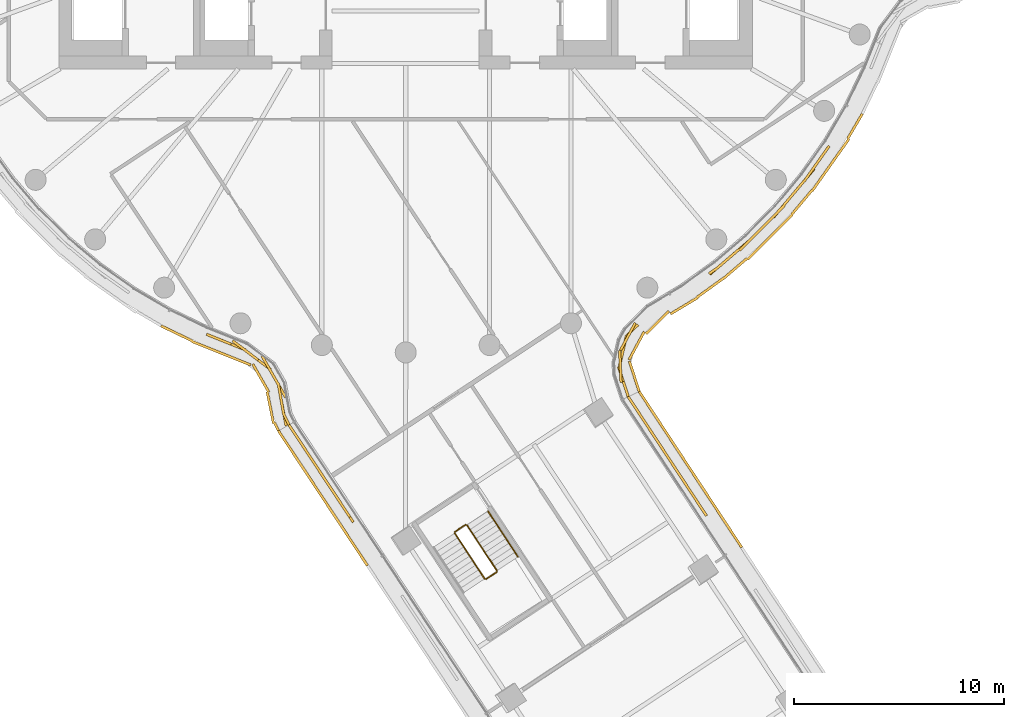
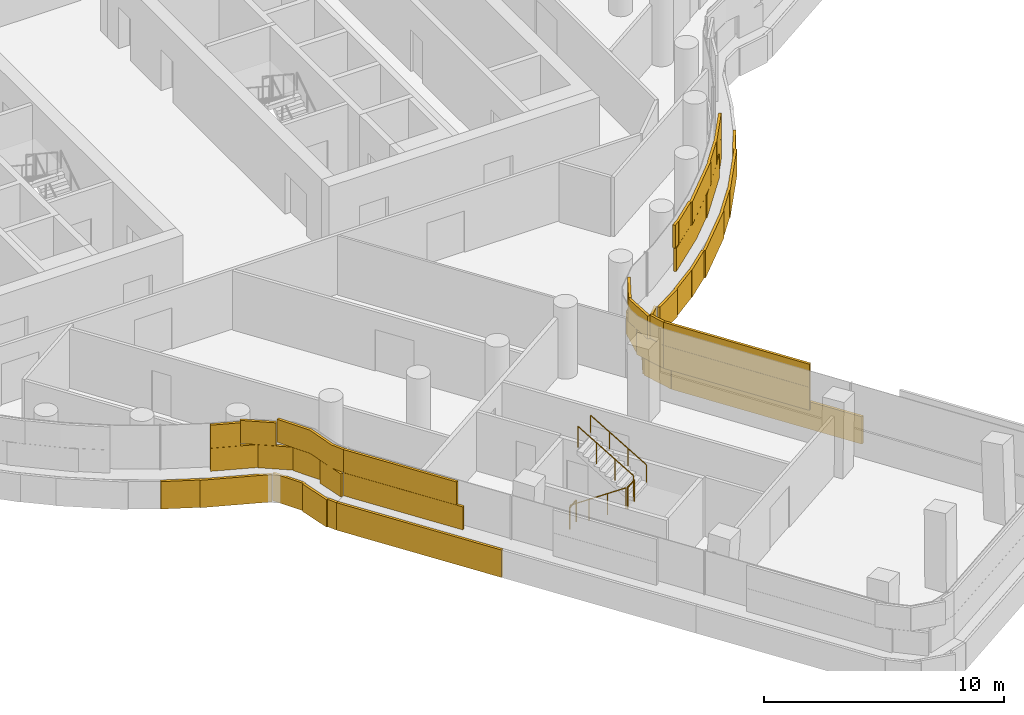
# One storey, part 29 of 35: 5 railings, 4 coverings.
"""IFC4 building model written with IfcOpenShell, lengths in metres."""

import ifcopenshell
import ifcopenshell.guid

model = None  # the IFC model being written
_history = None  # IfcOwnerHistory: only IFC2X3 demands one
_inside = {}  # id of a spatial element -> (the spatial element, [elements in it])
_under = {}  # id of a project, library or spatial element -> (it, [spatial elements below it])
_declared = {}  # id of a project -> (the project, [libraries it declares])
_typed = {}  # id of a type object -> (the type object, [elements of that type])
_made_of = {}  # id of a material, layer set ... -> (it, [elements and type objects made of it])


def new_model(schema):
    """Start an empty IFC model of exactly this schema.

    Asked for "IFC4X3", IfcOpenShell would pick the latest addendum, in which some entities
    have other attributes; the version numbers below select the first issue.
    IFC2X3 requires an IfcOwnerHistory on every rooted entity: one is made here for all.
    """
    global model, _history
    if schema == "IFC4X3":
        model = ifcopenshell.file(schema_version=(4, 3, 0, 0))
    else:
        model = ifcopenshell.file(schema=schema)
    _inside.clear()
    _under.clear()
    _declared.clear()
    _typed.clear()
    _made_of.clear()
    _history = None
    if model.schema == "IFC2X3":
        org = make("IfcOrganization", Name="unknown")
        user = make(
            "IfcPersonAndOrganization",
            ThePerson=make("IfcPerson", FamilyName="unknown"),
            TheOrganization=org,
        )
        app = make(
            "IfcApplication",
            ApplicationDeveloper=org,
            Version="unknown",
            ApplicationFullName="unknown",
            ApplicationIdentifier="unknown",
        )
        _history = make(
            "IfcOwnerHistory",
            OwningUser=user,
            OwningApplication=app,
            ChangeAction="ADDED",
            CreationDate=0,
        )
    return model


def make(cls, **values):
    """One entity of the class cls with the attributes given. An attribute that is None is left unset."""
    return model.create_entity(
        cls, **{name: value for name, value in values.items() if value is not None}
    )


def rooted(cls, **values):
    """An entity with a GlobalId (a new one), such as an element, a storey or a relation."""
    return make(cls, GlobalId=ifcopenshell.guid.new(), OwnerHistory=_history, **values)


def si_unit(unit_type, name, prefix=None):
    """IfcSIUnit, for example si_unit("LENGTHUNIT", "METRE", prefix="MILLI")."""
    return make("IfcSIUnit", UnitType=unit_type, Prefix=prefix, Name=name)


def assignment(units):
    """IfcUnitAssignment: the units of a project."""
    return None if units is None else make("IfcUnitAssignment", Units=units)


def point(xyz):
    """IfcCartesianPoint."""
    return None if xyz is None else make("IfcCartesianPoint", Coordinates=xyz)


def direction(xyz):
    """IfcDirection."""
    return None if xyz is None else make("IfcDirection", DirectionRatios=xyz)


def frame(location, z_axis=None, x_axis=None):
    """IfcAxis2Placement3D, a coordinate frame: its origin and axes. An axis left out is left unset."""
    return make(
        "IfcAxis2Placement3D",
        Location=point(location),
        Axis=direction(z_axis),
        RefDirection=direction(x_axis),
    )


def frame_2d(location, x_axis=None):
    """IfcAxis2Placement2D, a coordinate frame in the plane: its origin and x axis."""
    return make(
        "IfcAxis2Placement2D", Location=point(location), RefDirection=direction(x_axis)
    )


def origin():
    """The frame at (0, 0, 0) with its axes left unset."""
    return frame((0.0, 0.0, 0.0))


def origin_2d():
    """The frame at (0, 0) in the plane with its x axis left unset."""
    return frame_2d((0.0, 0.0))


def place(relative_to, where):
    """IfcLocalPlacement: puts the frame where relative to a parent placement (None: the world)."""
    return make(
        "IfcLocalPlacement", PlacementRelTo=relative_to, RelativePlacement=where
    )


def context(
    kind, dimensions, precision=None, world=None, true_north=None, identifier=None
):
    """IfcGeometricRepresentationContext, for example the 3D "Model" context."""
    return make(
        "IfcGeometricRepresentationContext",
        ContextIdentifier=identifier,
        ContextType=kind,
        CoordinateSpaceDimension=dimensions,
        Precision=precision,
        WorldCoordinateSystem=world,
        TrueNorth=true_north,
    )


def subcontext(parent, identifier, kind, view, scale=None):
    """IfcGeometricRepresentationSubContext, for example "Body" below "Model"."""
    return make(
        "IfcGeometricRepresentationSubContext",
        ContextIdentifier=identifier,
        ContextType=kind,
        ParentContext=parent,
        TargetScale=scale,
        TargetView=view,
    )


def project(units=None, contexts=None):
    """IfcProject with its units and contexts."""
    return rooted(
        "IfcProject",
        Name="project",
        RepresentationContexts=contexts,
        UnitsInContext=assignment(units),
    )


def spatial(cls, under=None, at=None, **own):
    """A site, building, storey or space (cls), placed at a placement, below another one or the project."""
    s = rooted(cls, ObjectPlacement=at, **own)
    if under is not None:
        _under.setdefault(under.id(), (under, []))[1].append(s)
    return s


def profile(cls, at=None, kind="AREA", **sizes):
    """A parametric profile (cls). Its sizes go by their IFC names, for example OverallWidth=200.0."""
    return make(cls, ProfileType=kind, Position=at, **sizes)


def rectangle(**sizes):
    """IfcRectangleProfileDef."""
    return profile("IfcRectangleProfileDef", **sizes)


def circle(**sizes):
    """IfcCircleProfileDef."""
    return profile("IfcCircleProfileDef", **sizes)


def extrude(swept, where, along, depth):
    """IfcExtrudedAreaSolid: the profile swept, set in the frame where, extruded along a direction by depth."""
    return make(
        "IfcExtrudedAreaSolid",
        SweptArea=swept,
        Position=where,
        ExtrudedDirection=direction(along),
        Depth=depth,
    )


def shape(context_of_items, identifier, shape_type, items):
    """IfcShapeRepresentation: the items that make up one representation, for example the "Body"."""
    return make(
        "IfcShapeRepresentation",
        ContextOfItems=context_of_items,
        RepresentationIdentifier=identifier,
        RepresentationType=shape_type,
        Items=items,
    )


def material(Name=None, Category=None):
    """IfcMaterial."""
    return make("IfcMaterial", Name=Name, Category=Category)


def layer(
    of_material, thickness, ventilated=None, Name=None, Category=None, Priority=None
):
    """IfcMaterialLayer: one layer of a wall or slab, of a material (None: an air gap)."""
    return make(
        "IfcMaterialLayer",
        Material=of_material,
        LayerThickness=thickness,
        IsVentilated=ventilated,
        Name=Name,
        Category=Category,
        Priority=Priority,
    )


def layer_set(layers, Name=None):
    """IfcMaterialLayerSet."""
    return make("IfcMaterialLayerSet", MaterialLayers=layers, LayerSetName=Name)


def made_of(thing, what):
    """Note that an element or type object is made of a material, layer set ...; save() writes the relation."""
    if what is not None:
        _made_of.setdefault(what.id(), (what, []))[1].append(thing)
    return thing


def type_object(cls, material=None, **own):
    """A type object (cls), such as IfcWallType, which elements share."""
    return made_of(rooted(cls, **own), material)


def element(
    cls,
    number,
    at=None,
    inside=None,
    cuts=None,
    type_object=None,
    material=None,
    context=None,
    identifier="Body",
    shape_type=None,
    held_by="IfcProductDefinitionShape",
    body=None,
    shapes=None,
    **own,
):
    """One element of the class cls, such as IfcWall. Its Tag is "e" and its number.

    at: its placement. inside: the storey or other place that contains it. cuts: it is an
    opening in that element (IfcRelVoidsElement). A single representation is given by context,
    identifier, shape_type and body (its items); several are given by shapes. held_by: the class
    of the entity that holds the representations. save() writes the other relations.
    """
    e = rooted(cls, Tag="e%d" % number, ObjectPlacement=at, **own)
    if body is not None:
        shapes = [shape(context, identifier, shape_type, body)]
    if shapes is not None:
        e.Representation = make(held_by, Representations=shapes)
    if inside is not None:
        _inside.setdefault(inside.id(), (inside, []))[1].append(e)
    if cuts is not None:
        rooted(
            "IfcRelVoidsElement", RelatingBuildingElement=cuts, RelatedOpeningElement=e
        )
    if type_object is not None:
        _typed.setdefault(type_object.id(), (type_object, []))[1].append(e)
    return made_of(e, material)


def aggregate(whole, parts):
    """IfcRelAggregates: a whole, such as a stair, and the parts it consists of."""
    return rooted("IfcRelAggregates", RelatingObject=whole, RelatedObjects=parts)


def save(model, path):
    """Write the relations noted so far, then the file.

    IfcRelAggregates (storeys below a building ...), IfcRelContainedInSpatialStructure (elements
    in a storey), IfcRelDefinesByType, IfcRelAssociatesMaterial and IfcRelDeclares: one each for
    every whole, place, type object, material and project.
    """
    for whole, parts in _under.values():
        aggregate(whole, parts)
    for where, things in _inside.values():
        rooted(
            "IfcRelContainedInSpatialStructure",
            RelatedElements=things,
            RelatingStructure=where,
        )
    for kind, things in _typed.values():
        rooted("IfcRelDefinesByType", RelatedObjects=things, RelatingType=kind)
    for what, things in _made_of.values():
        rooted("IfcRelAssociatesMaterial", RelatedObjects=things, RelatingMaterial=what)
    for by, libraries in _declared.values():
        rooted("IfcRelDeclares", RelatingContext=by, RelatedDefinitions=libraries)
    model.write(path)


model = new_model("IFC4")

# Units and contexts
model_context = context("Model", 3, precision=1e-05, world=origin(), true_north=direction((0.0, 1.0)))
body_context = subcontext(model_context, "Body", "Model", "MODEL_VIEW")
ifc_project = project(units=[si_unit("LENGTHUNIT", "METRE"), si_unit("AREAUNIT", "SQUARE_METRE"), si_unit("VOLUMEUNIT", "CUBIC_METRE"), si_unit("PLANEANGLEUNIT", "RADIAN"), si_unit("MASSUNIT", "GRAM", prefix="KILO")], contexts=[model_context])

# Site, building, storey
site_placement = place(None, origin())
site = spatial("IfcSite", under=ifc_project, at=site_placement, CompositionType="ELEMENT")
building_placement = place(site_placement, origin())
building = spatial("IfcBuilding", under=site, at=building_placement, Name="Tamarind Cross Interchange Tower", CompositionType="ELEMENT")
storey_placement = place(building_placement, frame((0.0, 0.0, 155.5)))
storey = spatial("IfcBuildingStorey", under=building, at=storey_placement, Name="L38", CompositionType="ELEMENT", Elevation=155.5)

# Railings
ifc_material_1 = material(Name="Stair guard")
railing_type_1 = type_object("IfcRailingType", Name="Stair guard", PredefinedType="GUARDRAIL", material=ifc_material_1)
railing_1_placement = place(storey_placement, frame((2.328369140625, -31.60693359375, 0.17041015625)))
element("IfcRailing", 1, at=railing_1_placement, inside=storey, type_object=railing_type_1, Name="L38 ST6 stair guard 1", PredefinedType="GUARDRAIL", context=body_context, shape_type="SweptSolid", body=[
    extrude(circle(Radius=0.02392578125, at=origin_2d()), frame((0.0, 0.0, 1.076171875), z_axis=(0.460805384345, -0.697883001137, 0.548286161127), x_axis=(0.834498011269, 0.551010951967, 0.0)), (0.0, 0.0, 1.0), 3.10888671875),
    extrude(circle(Radius=0.02099609375, at=origin_2d()), origin(), (0.0, 0.0, 1.0), 1.052001953125),
    extrude(circle(Radius=0.02099609375, at=origin_2d()), frame((0.4775390625, -0.72314453125, 0.568115234375)), (0.0, 0.0, 1.0), 1.052001953125),
    extrude(circle(Radius=0.02099609375, at=origin_2d()), frame((0.955078125, -1.446533203125, 1.136474609375)), (0.0, 0.0, 1.0), 1.052001953125),
    extrude(circle(Radius=0.02099609375, at=origin_2d()), frame((1.4326171875, -2.169677734375, 1.70458984375)), (0.0, 0.0, 1.0), 1.052001953125),
])
railing_2_placement = place(storey_placement, frame((3.830078125, -33.790771484375, 1.875)))
element("IfcRailing", 2, at=railing_2_placement, inside=storey, type_object=railing_type_1, Name="L38 ST6 stair guard 2", PredefinedType="GUARDRAIL", context=body_context, shape_type="SweptSolid", body=[
    extrude(circle(Radius=0.02392578125, at=origin_2d()), frame((0.0, 0.0, 1.076171875), z_axis=(0.834545798538, 0.550938572023, 0.0), x_axis=(-0.550938572023, 0.834545798538, 0.0)), (0.0, 0.0, 1.0), 0.60009765625),
    extrude(circle(Radius=0.02099609375, at=origin_2d()), origin(), (0.0, 0.0, 1.0), 1.052001953125),
    extrude(circle(Radius=0.02099609375, at=origin_2d()), frame((0.500732421875, 0.33056640625, 0.0)), (0.0, 0.0, 1.0), 1.052001953125),
])
railing_3_placement = place(storey_placement, frame((4.344970703125, -33.390869140625, 2.04541015625)))
element("IfcRailing", 3, at=railing_3_placement, inside=storey, type_object=railing_type_1, Name="L38 ST6 stair guard 3", PredefinedType="GUARDRAIL", context=body_context, shape_type="SweptSolid", body=[
    extrude(circle(Radius=0.02392578125, at=origin_2d()), frame((0.0, 0.0, 1.076171875), z_axis=(-0.460743527335, 0.697908254206, 0.548306000998), x_axis=(-0.834541188259, -0.550945555476, 0.0)), (0.0, 0.0, 1.0), 3.10888671875),
    extrude(circle(Radius=0.02099609375, at=origin_2d()), origin(), (0.0, 0.0, 1.0), 1.052001953125),
    extrude(circle(Radius=0.02099609375, at=origin_2d()), frame((-0.4775390625, 0.72314453125, 0.568115234375)), (0.0, 0.0, 1.0), 1.052001953125),
    extrude(circle(Radius=0.02099609375, at=origin_2d()), frame((-0.954833984375, 1.446533203125, 1.136474609375)), (0.0, 0.0, 1.0), 1.052001953125),
    extrude(circle(Radius=0.02099609375, at=origin_2d()), frame((-1.432373046875, 2.169677734375, 1.70458984375)), (0.0, 0.0, 1.0), 1.052001953125),
])
railing_4_placement = place(storey_placement, frame((2.342529296875, -31.53759765625, 0.0)))
element("IfcRailing", 4, at=railing_4_placement, inside=storey, type_object=railing_type_1, Name="L38 ST6 stair guard 4", PredefinedType="GUARDRAIL", context=body_context, shape_type="SweptSolid", body=[
    extrude(circle(Radius=0.02392578125, at=origin_2d()), frame((0.0, 0.0, 1.076171875), z_axis=(0.834545798538, 0.550938572023, 0.0), x_axis=(-0.550938572023, 0.834545798538, 0.0)), (0.0, 0.0, 1.0), 0.60009765625),
    extrude(circle(Radius=0.02099609375, at=origin_2d()), origin(), (0.0, 0.0, 1.0), 1.052001953125),
    extrude(circle(Radius=0.02099609375, at=origin_2d()), frame((0.500732421875, 0.33056640625, 0.0)), (0.0, 0.0, 1.0), 1.052001953125),
])
ifc_material_2 = material(Name="Stair handrail")
railing_type_2 = type_object("IfcRailingType", Name="Stair handrail", PredefinedType="HANDRAIL", material=ifc_material_2)
railing_5_placement = place(storey_placement, frame((5.346435546875, -32.729736328125, 2.04541015625)))
element("IfcRailing", 5, at=railing_5_placement, inside=storey, type_object=railing_type_2, Name="L38 ST6 stair handrail 2", PredefinedType="HANDRAIL", context=body_context, shape_type="SweptSolid", body=[
    extrude(circle(Radius=0.02392578125, at=origin_2d()), frame((0.0, 0.0, 0.8759765625), z_axis=(-0.460743527335, 0.697908254206, 0.548306000998), x_axis=(-0.834541188259, -0.550945555476, 0.0)), (0.0, 0.0, 1.0), 3.10888671875),
    extrude(circle(Radius=0.02099609375, at=origin_2d()), origin(), (0.0, 0.0, 1.0), 0.851806640625),
    extrude(circle(Radius=0.02099609375, at=origin_2d()), frame((-0.4775390625, 0.72314453125, 0.568115234375)), (0.0, 0.0, 1.0), 0.851806640625),
    extrude(circle(Radius=0.02099609375, at=origin_2d()), frame((-0.954833984375, 1.446533203125, 1.136474609375)), (0.0, 0.0, 1.0), 0.851806640625),
    extrude(circle(Radius=0.02099609375, at=origin_2d()), frame((-1.432373046875, 2.169677734375, 1.70458984375)), (0.0, 0.0, 1.0), 0.851806640625),
])

# Coverings
ifc_material_3 = material(Name="Terracotta", Category="masonry")
ifc_layer = layer(ifc_material_3, 0.1201171875)
ifc_layer_set = layer_set([ifc_layer], Name="Terracotta")
covering_type = type_object("IfcCoveringType", Name="Terracotta baguette screen unit", PredefinedType="MOLDING", material=ifc_layer_set)
covering_1_placement = place(storey_placement, origin())
element("IfcCovering", 6, at=covering_1_placement, inside=storey, type_object=covering_type, Name="SCR-L38-06-01", PredefinedType="MOLDING", context=body_context, shape_type="SweptSolid", body=[
    extrude(rectangle(XDim=0.510986328125, YDim=0.1201171875, at=origin_2d()), frame((-9.247802734375, -22.232177734375, 1.404052734375), z_axis=(0.0, 0.0, 1.0), x_axis=(0.927983824399, -0.37262047938, 0.0)), (0.0, 0.0, 1.0), 1.1669921875),
    extrude(rectangle(XDim=1.52001953125, YDim=0.1201171875, at=origin_2d()), frame((-8.3193359375, -22.60498046875, 1.404052734375), z_axis=(0.0, 0.0, 1.0), x_axis=(0.927983824399, -0.37262047938, 0.0)), (0.0, 0.0, 1.0), 1.1669921875),
    extrude(rectangle(XDim=1.52001953125, YDim=0.1201171875, at=origin_2d()), frame((-7.034912109375, -23.35498046875, 1.404052734375), z_axis=(0.0, 0.0, 1.0), x_axis=(0.799546744237, -0.600603865938, 0.0)), (0.0, 0.0, 1.0), 1.1669921875),
    extrude(rectangle(XDim=1.52001953125, YDim=0.1201171875, at=origin_2d()), frame((-6.09130859375, -24.4814453125, 1.404052734375), z_axis=(0.0, 0.0, 1.0), x_axis=(0.496112184141, -0.868258429701, 0.0)), (0.0, 0.0, 1.0), 1.1669921875),
    extrude(rectangle(XDim=1.317138671875, YDim=0.1201171875, at=origin_2d()), frame((-5.8154296875, -25.853759765625, 1.404052734375), z_axis=(0.0, 0.0, 1.0), x_axis=(0.193059747584, -0.981187002494, 0.0)), (0.0, 0.0, 1.0), 1.1669921875),
    extrude(rectangle(XDim=1.260986328125, YDim=0.1201171875, at=origin_2d()), frame((-8.89990234375, -22.3720703125, 2.5791015625), z_axis=(0.0, 0.0, 1.0), x_axis=(0.927983824399, -0.37262047938, 0.0)), (0.0, 0.0, 1.0), 1.1669921875),
    extrude(rectangle(XDim=1.52001953125, YDim=0.1201171875, at=origin_2d()), frame((-7.634521484375, -22.904541015625, 2.5791015625), z_axis=(0.0, 0.0, 1.0), x_axis=(0.799546744237, -0.600603865938, 0.0)), (0.0, 0.0, 1.0), 1.1669921875),
    extrude(rectangle(XDim=1.52001953125, YDim=0.1201171875, at=origin_2d()), frame((-6.46337890625, -23.830078125, 2.5791015625), z_axis=(0.0, 0.0, 1.0), x_axis=(0.496112184141, -0.868258429701, 0.0)), (0.0, 0.0, 1.0), 1.1669921875),
    extrude(rectangle(XDim=1.52001953125, YDim=0.1201171875, at=origin_2d()), frame((-5.93896484375, -25.2119140625, 2.5791015625), z_axis=(0.0, 0.0, 1.0), x_axis=(0.173502866607, -0.984833364219, 0.0)), (0.0, 0.0, 1.0), 1.1669921875),
    extrude(rectangle(XDim=0.567138671875, YDim=0.1201171875, at=origin_2d()), frame((-5.67919921875, -26.2001953125, 2.5791015625), z_axis=(0.0, 0.0, 1.0), x_axis=(0.437329241463, -0.899301470343, 0.0)), (0.0, 0.0, 1.0), 1.1669921875),
    extrude(rectangle(XDim=0.1552734375, YDim=0.1201171875, at=origin_2d()), frame((-11.5751953125, -21.771728515625, 0.00390625), z_axis=(0.0, 0.0, 1.0), x_axis=(0.900272776334, -0.435326231914, 0.0)), (0.0, 0.0, 1.0), 1.39208984375),
    extrude(rectangle(XDim=1.52001953125, YDim=0.1201171875, at=origin_2d()), frame((-10.839111328125, -22.127685546875, 0.00390625), z_axis=(0.0, 0.0, 1.0), x_axis=(0.900272776334, -0.435326231914, 0.0)), (0.0, 0.0, 1.0), 1.39208984375),
    extrude(rectangle(XDim=1.52001953125, YDim=0.1201171875, at=origin_2d()), frame((-9.478759765625, -22.758056640625, 0.00390625), z_axis=(0.0, 0.0, 1.0), x_axis=(0.927983824399, -0.37262047938, 0.0)), (0.0, 0.0, 1.0), 1.39208984375),
    extrude(rectangle(XDim=1.52001953125, YDim=0.1201171875, at=origin_2d()), frame((-8.086669921875, -23.31689453125, 0.00390625), z_axis=(0.0, 0.0, 1.0), x_axis=(0.927983824399, -0.37262047938, 0.0)), (0.0, 0.0, 1.0), 1.39208984375),
    extrude(rectangle(XDim=1.52001953125, YDim=0.1201171875, at=origin_2d()), frame((-6.90234375, -24.218994140625, 0.00390625), z_axis=(0.0, 0.0, 1.0), x_axis=(0.496112184141, -0.868258429701, 0.0)), (0.0, 0.0, 1.0), 1.39208984375),
    extrude(rectangle(XDim=1.52001953125, YDim=0.1201171875, at=origin_2d()), frame((-6.4453125, -25.625732421875, 0.00390625), z_axis=(0.0, 0.0, 1.0), x_axis=(0.193059747584, -0.981187002494, 0.0)), (0.0, 0.0, 1.0), 1.39208984375),
    extrude(rectangle(XDim=0.445556640625, YDim=0.1201171875, at=origin_2d()), frame((-6.154541015625, -26.535400390625, 0.00390625), z_axis=(0.0, 0.0, 1.0), x_axis=(0.437329241463, -0.899301470343, 0.0)), (0.0, 0.0, 1.0), 1.39208984375),
])
covering_2_placement = place(storey_placement, origin())
element("IfcCovering", 7, at=covering_2_placement, inside=storey, type_object=covering_type, Name="SCR-L38-07-00", PredefinedType="MOLDING", context=body_context, shape_type="SweptSolid", body=[
    extrude(rectangle(XDim=1.510009765625, YDim=0.1201171875, at=origin_2d()), frame((-5.14404296875, -27.07666015625, 1.404052734375), z_axis=(0.0, 0.0, 1.0), x_axis=(0.550970225759, -0.834524900963, 0.0)), (0.0, 0.0, 1.0), 1.1669921875),
    extrude(rectangle(XDim=1.52001953125, YDim=0.1201171875, at=origin_2d()), frame((-4.317626953125, -28.328369140625, 1.404052734375), z_axis=(0.0, 0.0, 1.0), x_axis=(0.550970225759, -0.834524900963, 0.0)), (0.0, 0.0, 1.0), 1.1669921875),
    extrude(rectangle(XDim=1.52001953125, YDim=0.1201171875, at=origin_2d()), frame((-3.4912109375, -29.580322265625, 1.404052734375), z_axis=(0.0, 0.0, 1.0), x_axis=(0.550970225759, -0.834524900963, 0.0)), (0.0, 0.0, 1.0), 1.1669921875),
    extrude(rectangle(XDim=1.05712890625, YDim=0.1201171875, at=origin_2d()), frame((-2.78955078125, -30.64306640625, 1.404052734375), z_axis=(0.0, 0.0, 1.0), x_axis=(0.550970225759, -0.834524900963, 0.0)), (0.0, 0.0, 1.0), 1.1669921875),
    extrude(rectangle(XDim=0.760009765625, YDim=0.1201171875, at=origin_2d()), frame((-5.350830078125, -26.763671875, 2.5791015625), z_axis=(0.0, 0.0, 1.0), x_axis=(0.550970225759, -0.834524900963, 0.0)), (0.0, 0.0, 1.0), 1.1669921875),
    extrude(rectangle(XDim=1.52001953125, YDim=0.1201171875, at=origin_2d()), frame((-4.73095703125, -27.70263671875, 2.5791015625), z_axis=(0.0, 0.0, 1.0), x_axis=(0.550970225759, -0.834524900963, 0.0)), (0.0, 0.0, 1.0), 1.1669921875),
    extrude(rectangle(XDim=1.52001953125, YDim=0.1201171875, at=origin_2d()), frame((-3.904541015625, -28.954345703125, 2.5791015625), z_axis=(0.0, 0.0, 1.0), x_axis=(0.550970225759, -0.834524900963, 0.0)), (0.0, 0.0, 1.0), 1.1669921875),
    extrude(rectangle(XDim=1.52001953125, YDim=0.1201171875, at=origin_2d()), frame((-3.077880859375, -30.2060546875, 2.5791015625), z_axis=(0.0, 0.0, 1.0), x_axis=(0.550970225759, -0.834524900963, 0.0)), (0.0, 0.0, 1.0), 1.1669921875),
    extrude(rectangle(XDim=1.510009765625, YDim=0.1201171875, at=origin_2d()), frame((-5.64111328125, -27.36572265625, 0.00390625), z_axis=(0.0, 0.0, 1.0), x_axis=(0.550970225759, -0.834524900963, 0.0)), (0.0, 0.0, 1.0), 1.39208984375),
    extrude(rectangle(XDim=1.52001953125, YDim=0.1201171875, at=origin_2d()), frame((-4.8173828125, -28.61328125, 0.00390625), z_axis=(0.0, 0.0, 1.0), x_axis=(0.550970225759, -0.834524900963, 0.0)), (0.0, 0.0, 1.0), 1.39208984375),
    extrude(rectangle(XDim=1.52001953125, YDim=0.1201171875, at=origin_2d()), frame((-3.990966796875, -29.865234375, 0.00390625), z_axis=(0.0, 0.0, 1.0), x_axis=(0.550970225759, -0.834524900963, 0.0)), (0.0, 0.0, 1.0), 1.39208984375),
    extrude(rectangle(XDim=1.52001953125, YDim=0.1201171875, at=origin_2d()), frame((-3.16455078125, -31.116943359375, 0.00390625), z_axis=(0.0, 0.0, 1.0), x_axis=(0.550970225759, -0.834524900963, 0.0)), (0.0, 0.0, 1.0), 1.39208984375),
    extrude(rectangle(XDim=1.52001953125, YDim=0.1201171875, at=origin_2d()), frame((-2.338134765625, -32.36865234375, 0.00390625), z_axis=(0.0, 0.0, 1.0), x_axis=(0.550970225759, -0.834524900963, 0.0)), (0.0, 0.0, 1.0), 1.39208984375),
    extrude(rectangle(XDim=0.19140625, YDim=0.1201171875, at=origin_2d()), frame((-1.877685546875, -33.066162109375, 0.00390625), z_axis=(0.0, 0.0, 1.0), x_axis=(0.550970225759, -0.834524900963, 0.0)), (0.0, 0.0, 1.0), 1.39208984375),
])
covering_3_placement = place(storey_placement, origin())
element("IfcCovering", 8, at=covering_3_placement, inside=storey, type_object=covering_type, Name="SCR-L38-09-01", PredefinedType="MOLDING", context=body_context, shape_type="SweptSolid", body=[
    extrude(rectangle(XDim=1.370361328125, YDim=0.1201171875, at=origin_2d()), frame((13.94287109375, -30.2080078125, 1.404052734375), z_axis=(0.0, 0.0, 1.0), x_axis=(-0.549247742562, 0.835659570214, 0.0)), (0.0, 0.0, 1.0), 1.1669921875),
    extrude(rectangle(XDim=1.52001953125, YDim=0.1201171875, at=origin_2d()), frame((13.157470703125, -29.012939453125, 1.404052734375), z_axis=(0.0, 0.0, 1.0), x_axis=(-0.549247742562, 0.835659570214, 0.0)), (0.0, 0.0, 1.0), 1.1669921875),
    extrude(rectangle(XDim=1.52001953125, YDim=0.1201171875, at=origin_2d()), frame((12.33349609375, -27.75927734375, 1.404052734375), z_axis=(0.0, 0.0, 1.0), x_axis=(-0.549247742562, 0.835659570214, 0.0)), (0.0, 0.0, 1.0), 1.1669921875),
    extrude(rectangle(XDim=1.52001953125, YDim=0.1201171875, at=origin_2d()), frame((11.509521484375, -26.505859375, 1.404052734375), z_axis=(0.0, 0.0, 1.0), x_axis=(-0.549247742562, 0.835659570214, 0.0)), (0.0, 0.0, 1.0), 1.1669921875),
    extrude(rectangle(XDim=0.9287109375, YDim=0.1201171875, at=origin_2d()), frame((10.845458984375, -25.4951171875, 1.404052734375), z_axis=(0.0, 0.0, 1.0), x_axis=(-0.549247742562, 0.835659570214, 0.0)), (0.0, 0.0, 1.0), 1.1669921875),
    extrude(rectangle(XDim=0.620361328125, YDim=0.1201171875, at=origin_2d()), frame((14.14892578125, -30.521484375, 2.5791015625), z_axis=(0.0, 0.0, 1.0), x_axis=(-0.549247742562, 0.835659570214, 0.0)), (0.0, 0.0, 1.0), 1.1669921875),
    extrude(rectangle(XDim=1.52001953125, YDim=0.1201171875, at=origin_2d()), frame((13.5693359375, -29.6396484375, 2.5791015625), z_axis=(0.0, 0.0, 1.0), x_axis=(-0.549247742562, 0.835659570214, 0.0)), (0.0, 0.0, 1.0), 1.1669921875),
    extrude(rectangle(XDim=1.52001953125, YDim=0.1201171875, at=origin_2d()), frame((12.745361328125, -28.385986328125, 2.5791015625), z_axis=(0.0, 0.0, 1.0), x_axis=(-0.549247742562, 0.835659570214, 0.0)), (0.0, 0.0, 1.0), 1.1669921875),
    extrude(rectangle(XDim=1.52001953125, YDim=0.1201171875, at=origin_2d()), frame((11.921630859375, -27.132568359375, 2.5791015625), z_axis=(0.0, 0.0, 1.0), x_axis=(-0.549247742562, 0.835659570214, 0.0)), (0.0, 0.0, 1.0), 1.1669921875),
    extrude(rectangle(XDim=1.52001953125, YDim=0.1201171875, at=origin_2d()), frame((11.09765625, -25.879150390625, 2.5791015625), z_axis=(0.0, 0.0, 1.0), x_axis=(-0.549247742562, 0.835659570214, 0.0)), (0.0, 0.0, 1.0), 1.1669921875),
    extrude(rectangle(XDim=0.1787109375, YDim=0.1201171875, at=origin_2d()), frame((10.639404296875, -25.181884765625, 2.5791015625), z_axis=(0.0, 0.0, 1.0), x_axis=(-0.549247742562, 0.835659570214, 0.0)), (0.0, 0.0, 1.0), 1.1669921875),
    extrude(rectangle(XDim=0.4716796875, YDim=0.1201171875, at=origin_2d()), frame((15.86181640625, -32.08251953125, 0.00390625), z_axis=(0.0, 0.0, 1.0), x_axis=(-0.549247742562, 0.835659570214, 0.0)), (0.0, 0.0, 1.0), 1.39208984375),
    extrude(rectangle(XDim=1.52001953125, YDim=0.1201171875, at=origin_2d()), frame((15.325927734375, -31.26708984375, 0.00390625), z_axis=(0.0, 0.0, 1.0), x_axis=(-0.549247742562, 0.835659570214, 0.0)), (0.0, 0.0, 1.0), 1.39208984375),
    extrude(rectangle(XDim=1.52001953125, YDim=0.1201171875, at=origin_2d()), frame((14.501953125, -30.013671875, 0.00390625), z_axis=(0.0, 0.0, 1.0), x_axis=(-0.549247742562, 0.835659570214, 0.0)), (0.0, 0.0, 1.0), 1.39208984375),
    extrude(rectangle(XDim=1.52001953125, YDim=0.1201171875, at=origin_2d()), frame((13.67822265625, -28.76025390625, 0.00390625), z_axis=(0.0, 0.0, 1.0), x_axis=(-0.549247742562, 0.835659570214, 0.0)), (0.0, 0.0, 1.0), 1.39208984375),
    extrude(rectangle(XDim=1.52001953125, YDim=0.1201171875, at=origin_2d()), frame((12.854248046875, -27.5068359375, 0.00390625), z_axis=(0.0, 0.0, 1.0), x_axis=(-0.549247742562, 0.835659570214, 0.0)), (0.0, 0.0, 1.0), 1.39208984375),
    extrude(rectangle(XDim=1.52001953125, YDim=0.1201171875, at=origin_2d()), frame((12.030517578125, -26.253173828125, 0.00390625), z_axis=(0.0, 0.0, 1.0), x_axis=(-0.549247742562, 0.835659570214, 0.0)), (0.0, 0.0, 1.0), 1.39208984375),
    extrude(rectangle(XDim=0.926513671875, YDim=0.1201171875, at=origin_2d()), frame((11.36962890625, -25.247802734375, 0.00390625), z_axis=(0.0, 0.0, 1.0), x_axis=(-0.549247742562, 0.835659570214, 0.0)), (0.0, 0.0, 1.0), 1.39208984375),
])
covering_4_placement = place(storey_placement, origin())
element("IfcCovering", 9, at=covering_4_placement, inside=storey, type_object=covering_type, Name="SCR-L38-10-00", PredefinedType="MOLDING", context=body_context, shape_type="SweptSolid", body=[
    extrude(rectangle(XDim=1.510009765625, YDim=0.1201171875, at=origin_2d()), frame((10.361328125, -24.39794921875, 1.404052734375), z_axis=(0.0, 0.0, 1.0), x_axis=(-0.308899342484, 0.951094735667, 0.0)), (0.0, 0.0, 1.0), 1.1669921875),
    extrude(rectangle(XDim=1.52001953125, YDim=0.1201171875, at=origin_2d()), frame((10.3408203125, -22.93359375, 1.404052734375), z_axis=(0.0, 0.0, 1.0), x_axis=(0.22305383759, 0.974806127154, 0.0)), (0.0, 0.0, 1.0), 1.1669921875),
    extrude(rectangle(XDim=0.72705078125, YDim=0.1201171875, at=origin_2d()), frame((10.79345703125, -21.944580078125, 1.404052734375), z_axis=(0.0, 0.0, 1.0), x_axis=(0.709362098763, 0.704844247219, 0.0)), (0.0, 0.0, 1.0), 1.1669921875),
    extrude(rectangle(XDim=1.093017578125, YDim=0.1201171875, at=origin_2d()), frame((14.88427734375, -18.93603515625, 1.404052734375), z_axis=(0.0, 0.0, 1.0), x_axis=(0.760295606781, 0.64957723968, 0.0)), (0.0, 0.0, 1.0), 1.1669921875),
    extrude(rectangle(XDim=1.52001953125, YDim=0.1201171875, at=origin_2d()), frame((15.8662109375, -18.096923828125, 1.404052734375), z_axis=(0.0, 0.0, 1.0), x_axis=(0.760295606781, 0.64957723968, 0.0)), (0.0, 0.0, 1.0), 1.1669921875),
    extrude(rectangle(XDim=1.52001953125, YDim=0.1201171875, at=origin_2d()), frame((16.9609375, -17.073486328125, 1.404052734375), z_axis=(0.0, 0.0, 1.0), x_axis=(0.704057148523, 0.710143317658, 0.0)), (0.0, 0.0, 1.0), 1.1669921875),
    extrude(rectangle(XDim=1.52001953125, YDim=0.1201171875, at=origin_2d()), frame((17.99755859375, -15.990234375, 1.404052734375), z_axis=(0.0, 0.0, 1.0), x_axis=(0.643009266048, 0.765858396687, 0.0)), (0.0, 0.0, 1.0), 1.1669921875),
    extrude(rectangle(XDim=1.52001953125, YDim=0.1201171875, at=origin_2d()), frame((18.9619140625, -14.841552734375, 1.404052734375), z_axis=(0.0, 0.0, 1.0), x_axis=(0.643009266048, 0.765858396687, 0.0)), (0.0, 0.0, 1.0), 1.1669921875),
    extrude(rectangle(XDim=1.308837890625, YDim=0.1201171875, at=origin_2d()), frame((19.78125, -13.70751953125, 1.404052734375), z_axis=(0.0, 0.0, 1.0), x_axis=(0.577568978284, 0.816341886298, 0.0)), (0.0, 0.0, 1.0), 1.1669921875),
    extrude(rectangle(XDim=0.760009765625, YDim=0.1201171875, at=origin_2d()), frame((10.477294921875, -24.754638671875, 2.5791015625), z_axis=(0.0, 0.0, 1.0), x_axis=(-0.308899342484, 0.951094735667, 0.0)), (0.0, 0.0, 1.0), 1.1669921875),
    extrude(rectangle(XDim=1.52001953125, YDim=0.1201171875, at=origin_2d()), frame((10.2177734375, -23.668701171875, 2.5791015625), z_axis=(0.0, 0.0, 1.0), x_axis=(-0.044529992122, 0.999008047916, 0.0)), (0.0, 0.0, 1.0), 1.1669921875),
    extrude(rectangle(XDim=1.47705078125, YDim=0.1201171875, at=origin_2d()), frame((10.57666015625, -22.245849609375, 2.5791015625), z_axis=(0.0, 0.0, 1.0), x_axis=(0.474536115864, 0.880236033539, 0.0)), (0.0, 0.0, 1.0), 1.1669921875),
    extrude(rectangle(XDim=0.343017578125, YDim=0.1201171875, at=origin_2d()), frame((14.580810546875, -19.156005859375, 2.5791015625), z_axis=(0.0, 0.0, 1.0), x_axis=(0.811340475102, 0.584573890505, 0.0)), (0.0, 0.0, 1.0), 1.1669921875),
    extrude(rectangle(XDim=1.52001953125, YDim=0.1201171875, at=origin_2d()), frame((15.296142578125, -18.584228515625, 2.5791015625), z_axis=(0.0, 0.0, 1.0), x_axis=(0.760295606781, 0.64957723968, 0.0)), (0.0, 0.0, 1.0), 1.1669921875),
    extrude(rectangle(XDim=1.52001953125, YDim=0.1201171875, at=origin_2d()), frame((16.43310546875, -17.60595703125, 2.5791015625), z_axis=(0.0, 0.0, 1.0), x_axis=(0.704057148523, 0.710143317658, 0.0)), (0.0, 0.0, 1.0), 1.1669921875),
    extrude(rectangle(XDim=1.52001953125, YDim=0.1201171875, at=origin_2d()), frame((17.489013671875, -16.540771484375, 2.5791015625), z_axis=(0.0, 0.0, 1.0), x_axis=(0.704057148523, 0.710143317658, 0.0)), (0.0, 0.0, 1.0), 1.1669921875),
    extrude(rectangle(XDim=1.52001953125, YDim=0.1201171875, at=origin_2d()), frame((18.479736328125, -15.416015625, 2.5791015625), z_axis=(0.0, 0.0, 1.0), x_axis=(0.643009266048, 0.765858396687, 0.0)), (0.0, 0.0, 1.0), 1.1669921875),
    extrude(rectangle(XDim=1.52001953125, YDim=0.1201171875, at=origin_2d()), frame((19.40625, -14.23779296875, 2.5791015625), z_axis=(0.0, 0.0, 1.0), x_axis=(0.577568978284, 0.816341886298, 0.0)), (0.0, 0.0, 1.0), 1.1669921875),
    extrude(rectangle(XDim=0.558837890625, YDim=0.1201171875, at=origin_2d()), frame((19.998046875, -13.4013671875, 2.5791015625), z_axis=(0.0, 0.0, 1.0), x_axis=(0.577568978284, 0.816341886298, 0.0)), (0.0, 0.0, 1.0), 1.1669921875),
    extrude(rectangle(XDim=1.510009765625, YDim=0.1201171875, at=origin_2d()), frame((10.8818359375, -24.142578125, 0.00390625), z_axis=(0.0, 0.0, 1.0), x_axis=(-0.308899342484, 0.951094735667, 0.0)), (0.0, 0.0, 1.0), 1.39208984375),
    extrude(rectangle(XDim=1.52001953125, YDim=0.1201171875, at=origin_2d()), frame((10.991943359375, -22.684814453125, 0.00390625), z_axis=(0.0, 0.0, 1.0), x_axis=(0.474536115864, 0.880236033539, 0.0)), (0.0, 0.0, 1.0), 1.39208984375),
    extrude(rectangle(XDim=1.52001953125, YDim=0.1201171875, at=origin_2d()), frame((11.982421875, -21.572509765625, 0.00390625), z_axis=(0.0, 0.0, 1.0), x_axis=(0.709362098763, 0.704844247219, 0.0)), (0.0, 0.0, 1.0), 1.39208984375),
    extrude(rectangle(XDim=1.52001953125, YDim=0.1201171875, at=origin_2d()), frame((13.253662109375, -20.78125, 0.00390625), z_axis=(0.0, 0.0, 1.0), x_axis=(0.856667033085, 0.5158697456, 0.0)), (0.0, 0.0, 1.0), 1.39208984375),
    extrude(rectangle(XDim=1.52001953125, YDim=0.1201171875, at=origin_2d()), frame((14.48779296875, -19.930419921875, 0.00390625), z_axis=(0.0, 0.0, 1.0), x_axis=(0.811340475102, 0.584573890505, 0.0)), (0.0, 0.0, 1.0), 1.39208984375),
    extrude(rectangle(XDim=1.52001953125, YDim=0.1201171875, at=origin_2d()), frame((15.675048828125, -19.015380859375, 0.00390625), z_axis=(0.0, 0.0, 1.0), x_axis=(0.760295606781, 0.64957723968, 0.0)), (0.0, 0.0, 1.0), 1.39208984375),
    extrude(rectangle(XDim=1.52001953125, YDim=0.1201171875, at=origin_2d()), frame((16.812744140625, -18.038330078125, 0.00390625), z_axis=(0.0, 0.0, 1.0), x_axis=(0.704057148523, 0.710143317658, 0.0)), (0.0, 0.0, 1.0), 1.39208984375),
    extrude(rectangle(XDim=1.52001953125, YDim=0.1201171875, at=origin_2d()), frame((17.868896484375, -16.97314453125, 0.00390625), z_axis=(0.0, 0.0, 1.0), x_axis=(0.704057148523, 0.710143317658, 0.0)), (0.0, 0.0, 1.0), 1.39208984375),
    extrude(rectangle(XDim=1.52001953125, YDim=0.1201171875, at=origin_2d()), frame((18.86328125, -15.8515625, 0.00390625), z_axis=(0.0, 0.0, 1.0), x_axis=(0.643009266048, 0.765858396687, 0.0)), (0.0, 0.0, 1.0), 1.39208984375),
    extrude(rectangle(XDim=1.52001953125, YDim=0.1201171875, at=origin_2d()), frame((19.797119140625, -14.67919921875, 0.00390625), z_axis=(0.0, 0.0, 1.0), x_axis=(0.577568978284, 0.816341886298, 0.0)), (0.0, 0.0, 1.0), 1.39208984375),
    extrude(rectangle(XDim=1.52001953125, YDim=0.1201171875, at=origin_2d()), frame((20.66357421875, -13.45458984375, 0.00390625), z_axis=(0.0, 0.0, 1.0), x_axis=(0.577568978284, 0.816341886298, 0.0)), (0.0, 0.0, 1.0), 1.39208984375),
    extrude(rectangle(XDim=1.36474609375, YDim=0.1201171875, at=origin_2d()), frame((21.39111328125, -12.232666015625, 0.00390625), z_axis=(0.0, 0.0, 1.0), x_axis=(0.508183308752, 0.861248933065, 0.0)), (0.0, 0.0, 1.0), 1.39208984375),
])

save(model, "model.ifc")
